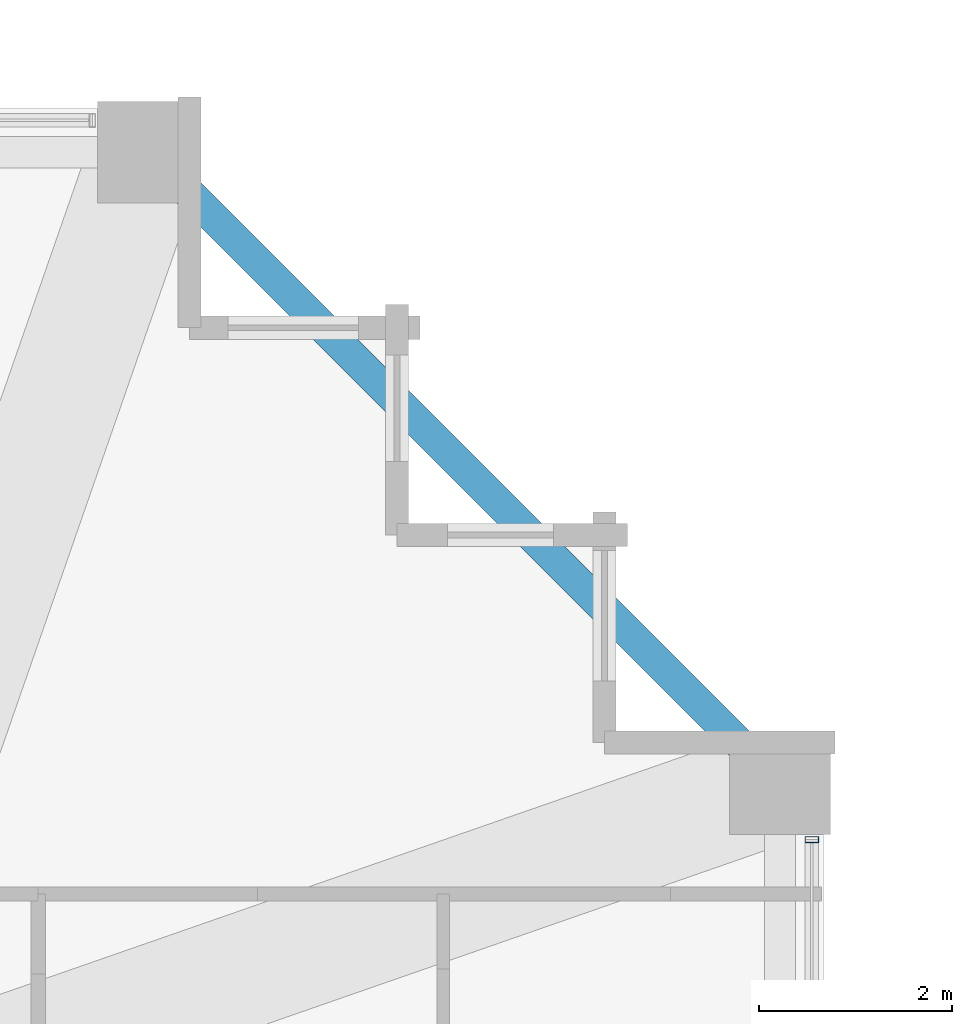
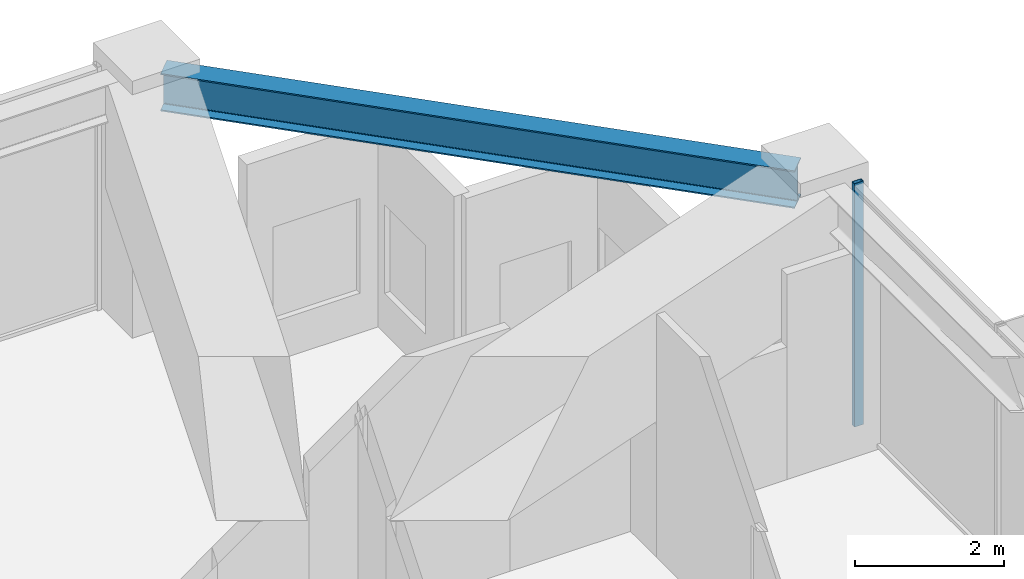
# One storey, part 26 of 40: 1 beam, 1 member, 1 element without a shape of its own.
"""IFC4 building model written with IfcOpenShell, lengths in metres."""

from ifc_helpers import new_model, si_unit, direction, frame, origin, origin_2d, place, context, subcontext, project, spatial, hollow_rectangle, i_section, extrude, material, material_profile, profile_set, type_object, element, aggregate, save


model = new_model("IFC4")

# Units and contexts
model_context = context("Model", 3, precision=1e-05, world=origin(), true_north=direction((0.0, 1.0)))
body_context = subcontext(model_context, "Body", "Model", "MODEL_VIEW")
ifc_project = project(units=[si_unit("LENGTHUNIT", "METRE"), si_unit("AREAUNIT", "SQUARE_METRE"), si_unit("VOLUMEUNIT", "CUBIC_METRE"), si_unit("PLANEANGLEUNIT", "RADIAN"), si_unit("MASSUNIT", "GRAM", prefix="KILO")], contexts=[model_context])

# Site, building, storey
site_placement = place(None, origin())
site = spatial("IfcSite", under=ifc_project, at=site_placement, CompositionType="ELEMENT")
building_placement = place(site_placement, origin())
building = spatial("IfcBuilding", under=site, at=building_placement, Name="Kolvaren Belvedere", CompositionType="ELEMENT")
storey_placement = place(building_placement, frame((0.0, 0.0, 68.0)))
storey = spatial("IfcBuildingStorey", under=building, at=storey_placement, Name="L19", CompositionType="ELEMENT", Elevation=68.0)

# Beam
ifc_material_1 = material(Name="Structural steel ASTM A992 Grade 50", Category="steel")
ifc_material_profile_1 = material_profile(ifc_material_1, i_section(OverallWidth=0.324951171875, OverallDepth=0.615966796875, WebThickness=0.013916015625, FlangeThickness=0.021484375, FilletRadius=0.02001953125, at=origin_2d()), Name="W24X117")
ifc_profile_set_1 = profile_set([ifc_material_profile_1], Name="Structural steel ASTM A992 Grade 50")
beam_type = type_object("IfcBeamType", Name="BM-SPAN-W24X117", PredefinedType="SPANDREL", material=ifc_profile_set_1)
beam_placement = place(storey_placement, frame((19.782958984375, 13.567138671875, 3.672119140625), z_axis=(-0.707106781187, 0.707106781187, 0.0), x_axis=(-0.707106781187, -0.707106781187, 0.0)))
element("IfcBeam", 1, at=beam_placement, inside=storey, type_object=beam_type, Name="L19 Perimeter Spandrel E4-N4", PredefinedType="SPANDREL", context=body_context, shape_type="SweptSolid", body=[
    extrude(i_section(OverallWidth=0.324951171875, OverallDepth=0.615966796875, WebThickness=0.013916015625, FlangeThickness=0.021484375, FilletRadius=0.02001953125, at=origin_2d()), origin(), (0.0, 0.0, 1.0), 8.79052734375),
])

# Curtain wall, member
ifc_material_2 = material(Name="Anodised pale-metal aluminium AA 6063-T6", Category="aluminium")
curtain_wall_type = type_object("IfcCurtainWallType", Name="CW-Z2-MID", PredefinedType="NOTDEFINED", material=ifc_material_2)
curtain_wall_placement = place(storey_placement, origin())
curtain_wall = element("IfcCurtainWall", 2, at=curtain_wall_placement, inside=storey, type_object=curtain_wall_type, Name="L19 Unitised Curtain Wall FCW-L19-E1-B1", PredefinedType="NOTDEFINED")
ifc_material_3 = material(Name="Anodised pale-metal aluminium AA 6063-T6", Category="aluminium")
ifc_material_profile_2 = material_profile(ifc_material_3, hollow_rectangle(XDim=0.06494140625, YDim=0.139892578125, WallThickness=0.00390625, at=origin_2d()), Name="ALU-MUL-140X65")
ifc_profile_set_2 = profile_set([ifc_material_profile_2], Name="Anodised pale-metal aluminium AA 6063-T6")
member_type = type_object("IfcMemberType", Name="CW-MUL-140", PredefinedType="MULLION", material=ifc_profile_set_2)
member_placement = place(storey_placement, frame((20.280029296875, 12.822509765625, 0.0), z_axis=(0.0, 0.0, 1.0), x_axis=(0.0, 1.0, 0.0)))
member = element("IfcMember", 3, at=member_placement, type_object=member_type, Name="FCW-L19-E1-B1 Unitised Mullion 1", PredefinedType="MULLION", context=body_context, shape_type="SweptSolid", body=[
    extrude(hollow_rectangle(XDim=0.06494140625, YDim=0.139892578125, WallThickness=0.00390625, at=origin_2d()), origin(), (0.0, 0.0, 1.0), 3.97998046875),
])
aggregate(curtain_wall, [member])

save(model, "model.ifc")
